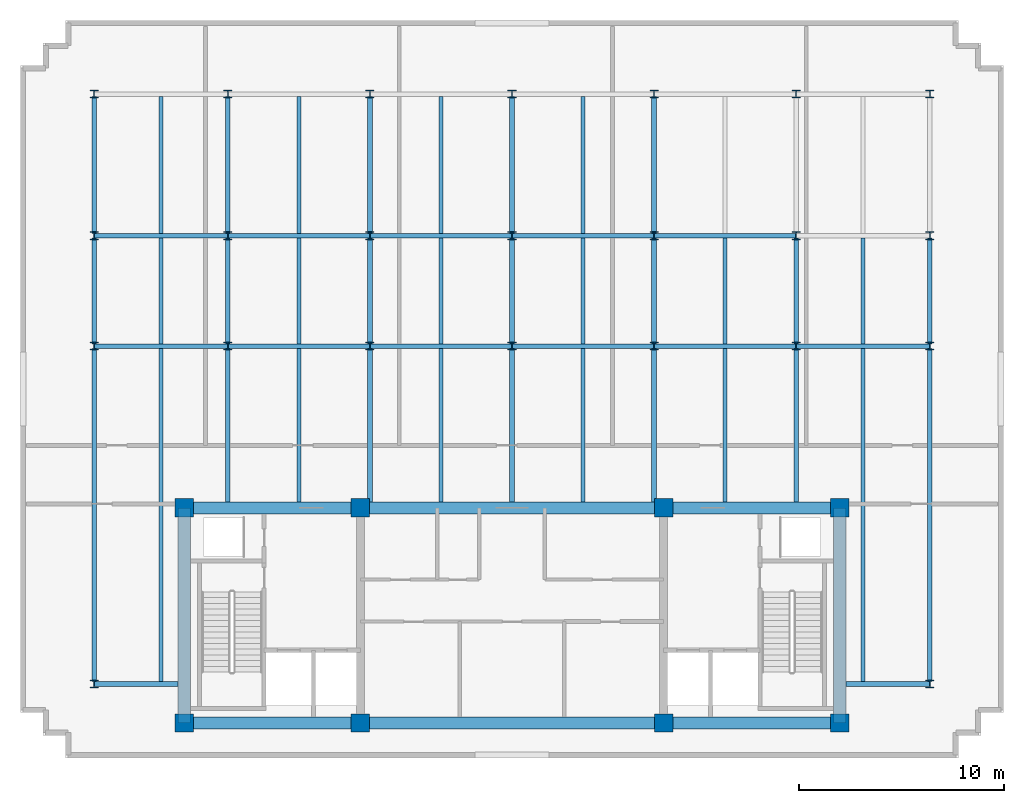
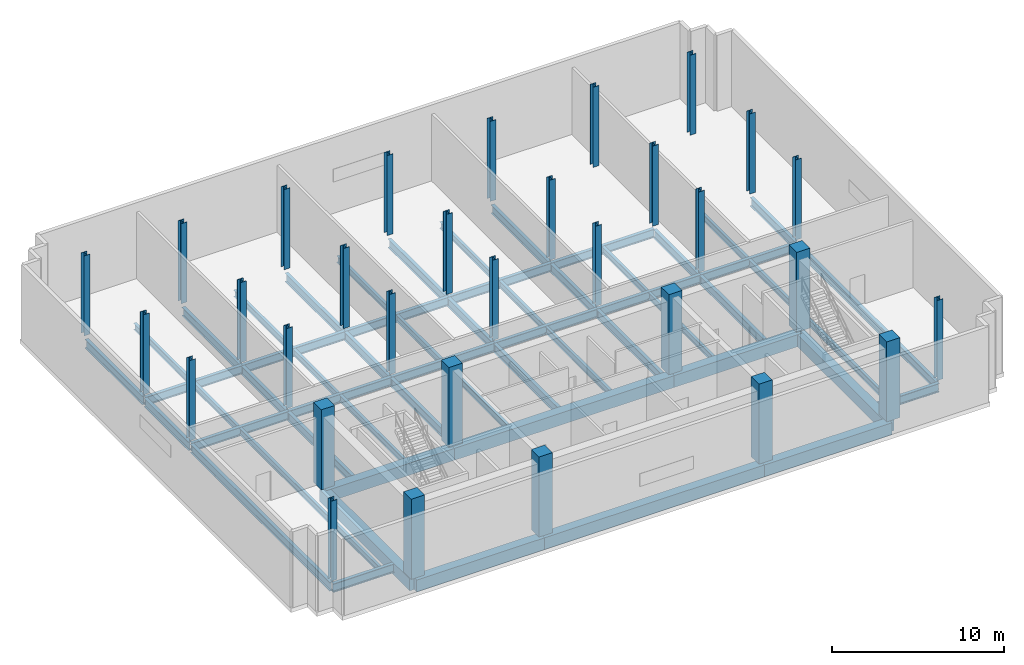
# One storey, part 1 of 6: 56 beams, 31 columns.
"""IFC4 building model written with IfcOpenShell, lengths in metres."""

import ifcopenshell
import ifcopenshell.guid

model = None  # the IFC model being written
_history = None  # IfcOwnerHistory: only IFC2X3 demands one
_inside = {}  # id of a spatial element -> (the spatial element, [elements in it])
_under = {}  # id of a project, library or spatial element -> (it, [spatial elements below it])
_declared = {}  # id of a project -> (the project, [libraries it declares])
_typed = {}  # id of a type object -> (the type object, [elements of that type])
_made_of = {}  # id of a material, layer set ... -> (it, [elements and type objects made of it])


def new_model(schema):
    """Start an empty IFC model of exactly this schema.

    Asked for "IFC4X3", IfcOpenShell would pick the latest addendum, in which some entities
    have other attributes; the version numbers below select the first issue.
    IFC2X3 requires an IfcOwnerHistory on every rooted entity: one is made here for all.
    """
    global model, _history
    if schema == "IFC4X3":
        model = ifcopenshell.file(schema_version=(4, 3, 0, 0))
    else:
        model = ifcopenshell.file(schema=schema)
    _inside.clear()
    _under.clear()
    _declared.clear()
    _typed.clear()
    _made_of.clear()
    _history = None
    if model.schema == "IFC2X3":
        org = make("IfcOrganization", Name="unknown")
        user = make(
            "IfcPersonAndOrganization",
            ThePerson=make("IfcPerson", FamilyName="unknown"),
            TheOrganization=org,
        )
        app = make(
            "IfcApplication",
            ApplicationDeveloper=org,
            Version="unknown",
            ApplicationFullName="unknown",
            ApplicationIdentifier="unknown",
        )
        _history = make(
            "IfcOwnerHistory",
            OwningUser=user,
            OwningApplication=app,
            ChangeAction="ADDED",
            CreationDate=0,
        )
    return model


def make(cls, **values):
    """One entity of the class cls with the attributes given. An attribute that is None is left unset."""
    return model.create_entity(
        cls, **{name: value for name, value in values.items() if value is not None}
    )


def rooted(cls, **values):
    """An entity with a GlobalId (a new one), such as an element, a storey or a relation."""
    return make(cls, GlobalId=ifcopenshell.guid.new(), OwnerHistory=_history, **values)


def si_unit(unit_type, name, prefix=None):
    """IfcSIUnit, for example si_unit("LENGTHUNIT", "METRE", prefix="MILLI")."""
    return make("IfcSIUnit", UnitType=unit_type, Prefix=prefix, Name=name)


def assignment(units):
    """IfcUnitAssignment: the units of a project."""
    return None if units is None else make("IfcUnitAssignment", Units=units)


def point(xyz):
    """IfcCartesianPoint."""
    return None if xyz is None else make("IfcCartesianPoint", Coordinates=xyz)


def direction(xyz):
    """IfcDirection."""
    return None if xyz is None else make("IfcDirection", DirectionRatios=xyz)


def frame(location, z_axis=None, x_axis=None):
    """IfcAxis2Placement3D, a coordinate frame: its origin and axes. An axis left out is left unset."""
    return make(
        "IfcAxis2Placement3D",
        Location=point(location),
        Axis=direction(z_axis),
        RefDirection=direction(x_axis),
    )


def frame_2d(location, x_axis=None):
    """IfcAxis2Placement2D, a coordinate frame in the plane: its origin and x axis."""
    return make(
        "IfcAxis2Placement2D", Location=point(location), RefDirection=direction(x_axis)
    )


def origin():
    """The frame at (0, 0, 0) with its axes left unset."""
    return frame((0.0, 0.0, 0.0))


def origin_2d():
    """The frame at (0, 0) in the plane with its x axis left unset."""
    return frame_2d((0.0, 0.0))


def place(relative_to, where):
    """IfcLocalPlacement: puts the frame where relative to a parent placement (None: the world)."""
    return make(
        "IfcLocalPlacement", PlacementRelTo=relative_to, RelativePlacement=where
    )


def context(
    kind, dimensions, precision=None, world=None, true_north=None, identifier=None
):
    """IfcGeometricRepresentationContext, for example the 3D "Model" context."""
    return make(
        "IfcGeometricRepresentationContext",
        ContextIdentifier=identifier,
        ContextType=kind,
        CoordinateSpaceDimension=dimensions,
        Precision=precision,
        WorldCoordinateSystem=world,
        TrueNorth=true_north,
    )


def subcontext(parent, identifier, kind, view, scale=None):
    """IfcGeometricRepresentationSubContext, for example "Body" below "Model"."""
    return make(
        "IfcGeometricRepresentationSubContext",
        ContextIdentifier=identifier,
        ContextType=kind,
        ParentContext=parent,
        TargetScale=scale,
        TargetView=view,
    )


def project(units=None, contexts=None):
    """IfcProject with its units and contexts."""
    return rooted(
        "IfcProject",
        Name="project",
        RepresentationContexts=contexts,
        UnitsInContext=assignment(units),
    )


def spatial(cls, under=None, at=None, **own):
    """A site, building, storey or space (cls), placed at a placement, below another one or the project."""
    s = rooted(cls, ObjectPlacement=at, **own)
    if under is not None:
        _under.setdefault(under.id(), (under, []))[1].append(s)
    return s


def profile(cls, at=None, kind="AREA", **sizes):
    """A parametric profile (cls). Its sizes go by their IFC names, for example OverallWidth=200.0."""
    return make(cls, ProfileType=kind, Position=at, **sizes)


def rectangle(**sizes):
    """IfcRectangleProfileDef."""
    return profile("IfcRectangleProfileDef", **sizes)


def i_section(**sizes):
    """IfcIShapeProfileDef."""
    return profile("IfcIShapeProfileDef", **sizes)


def extrude(swept, where, along, depth):
    """IfcExtrudedAreaSolid: the profile swept, set in the frame where, extruded along a direction by depth."""
    return make(
        "IfcExtrudedAreaSolid",
        SweptArea=swept,
        Position=where,
        ExtrudedDirection=direction(along),
        Depth=depth,
    )


def shape(context_of_items, identifier, shape_type, items):
    """IfcShapeRepresentation: the items that make up one representation, for example the "Body"."""
    return make(
        "IfcShapeRepresentation",
        ContextOfItems=context_of_items,
        RepresentationIdentifier=identifier,
        RepresentationType=shape_type,
        Items=items,
    )


def material(Name=None, Category=None):
    """IfcMaterial."""
    return make("IfcMaterial", Name=Name, Category=Category)


def material_profile(
    of_material, cross_section, Name=None, Category=None, Priority=None
):
    """IfcMaterialProfile: a cross section and its material."""
    return make(
        "IfcMaterialProfile",
        Name=Name,
        Material=of_material,
        Profile=cross_section,
        Priority=Priority,
        Category=Category,
    )


def profile_set(profiles, Name=None, composite=None):
    """IfcMaterialProfileSet."""
    return make(
        "IfcMaterialProfileSet",
        Name=Name,
        MaterialProfiles=profiles,
        CompositeProfile=composite,
    )


def made_of(thing, what):
    """Note that an element or type object is made of a material, layer set ...; save() writes the relation."""
    if what is not None:
        _made_of.setdefault(what.id(), (what, []))[1].append(thing)
    return thing


def type_object(cls, material=None, **own):
    """A type object (cls), such as IfcWallType, which elements share."""
    return made_of(rooted(cls, **own), material)


def element(
    cls,
    number,
    at=None,
    inside=None,
    cuts=None,
    type_object=None,
    material=None,
    context=None,
    identifier="Body",
    shape_type=None,
    held_by="IfcProductDefinitionShape",
    body=None,
    shapes=None,
    **own,
):
    """One element of the class cls, such as IfcWall. Its Tag is "e" and its number.

    at: its placement. inside: the storey or other place that contains it. cuts: it is an
    opening in that element (IfcRelVoidsElement). A single representation is given by context,
    identifier, shape_type and body (its items); several are given by shapes. held_by: the class
    of the entity that holds the representations. save() writes the other relations.
    """
    e = rooted(cls, Tag="e%d" % number, ObjectPlacement=at, **own)
    if body is not None:
        shapes = [shape(context, identifier, shape_type, body)]
    if shapes is not None:
        e.Representation = make(held_by, Representations=shapes)
    if inside is not None:
        _inside.setdefault(inside.id(), (inside, []))[1].append(e)
    if cuts is not None:
        rooted(
            "IfcRelVoidsElement", RelatingBuildingElement=cuts, RelatedOpeningElement=e
        )
    if type_object is not None:
        _typed.setdefault(type_object.id(), (type_object, []))[1].append(e)
    return made_of(e, material)


def aggregate(whole, parts):
    """IfcRelAggregates: a whole, such as a stair, and the parts it consists of."""
    return rooted("IfcRelAggregates", RelatingObject=whole, RelatedObjects=parts)


def save(model, path):
    """Write the relations noted so far, then the file.

    IfcRelAggregates (storeys below a building ...), IfcRelContainedInSpatialStructure (elements
    in a storey), IfcRelDefinesByType, IfcRelAssociatesMaterial and IfcRelDeclares: one each for
    every whole, place, type object, material and project.
    """
    for whole, parts in _under.values():
        aggregate(whole, parts)
    for where, things in _inside.values():
        rooted(
            "IfcRelContainedInSpatialStructure",
            RelatedElements=things,
            RelatingStructure=where,
        )
    for kind, things in _typed.values():
        rooted("IfcRelDefinesByType", RelatedObjects=things, RelatingType=kind)
    for what, things in _made_of.values():
        rooted("IfcRelAssociatesMaterial", RelatedObjects=things, RelatingMaterial=what)
    for by, libraries in _declared.values():
        rooted("IfcRelDeclares", RelatingContext=by, RelatedDefinitions=libraries)
    model.write(path)


model = new_model("IFC4")

# Units and contexts
model_context = context("Model", 3, precision=1e-05, world=origin(), true_north=direction((0.0, 1.0)))
body_context = subcontext(model_context, "Body", "Model", "MODEL_VIEW")
ifc_project = project(units=[si_unit("LENGTHUNIT", "METRE"), si_unit("AREAUNIT", "SQUARE_METRE"), si_unit("VOLUMEUNIT", "CUBIC_METRE"), si_unit("PLANEANGLEUNIT", "RADIAN"), si_unit("MASSUNIT", "GRAM", prefix="KILO")], contexts=[model_context])

# Site, building, storey
site_placement = place(None, origin())
site = spatial("IfcSite", under=ifc_project, at=site_placement, CompositionType="ELEMENT")
building_placement = place(site_placement, origin())
building = spatial("IfcBuilding", under=site, at=building_placement, Name="Solmavex Isthmus Hotel", CompositionType="ELEMENT")
storey_placement = place(building_placement, frame((0.0, 0.0, 297.0)))
storey = spatial("IfcBuildingStorey", under=building, at=storey_placement, Name="L80", CompositionType="ELEMENT", Elevation=297.0)

# Columns
ifc_material_1 = material(Name="Concrete C50/60", Category="concrete")
ifc_material_profile_1 = material_profile(ifc_material_1, rectangle(XDim=0.89990234375, YDim=0.89990234375, at=origin_2d()), Name="RC900X900")
ifc_profile_set_1 = profile_set([ifc_material_profile_1], Name="Concrete C50/60")
column_type_1 = type_object("IfcColumnType", Name="COL-CC-900", PredefinedType="COLUMN", material=ifc_profile_set_1)
for number, where, z_axis, x_axis, name in (
    (1, (-16.0, -13.0, 0.0), (0.0, 0.0, 1.0), (1.0, 0.0, 0.0), "Core Pilaster CC-SW L80"),
    (2, (-7.39990234375, -13.0, 0.0), (0.0, 0.0, 1.0), (1.0, 0.0, 0.0), "Core Pilaster CC-S1 L80"),
    (3, (7.39990234375, -13.0, 0.0), (0.0, 0.0, 1.0), (1.0, 0.0, 0.0), "Core Pilaster CC-S2 L80"),
    (4, (16.0, -13.0, 0.0), (0.0, 0.0, 1.0), (1.0, 0.0, 0.0), "Core Pilaster CC-SE L80"),
    (5, (-16.0, -2.5, 0.0), (0.0, 0.0, 1.0), (1.0, 0.0, 0.0), "Core Pilaster CC-NW L80"),
    (6, (-7.39990234375, -2.5, 0.0), (0.0, 0.0, 1.0), (1.0, 0.0, 0.0), "Core Pilaster CC-N1 L80"),
    (7, (7.39990234375, -2.5, 0.0), (0.0, 0.0, 1.0), (1.0, 0.0, 0.0), "Core Pilaster CC-N2 L80"),
    (8, (16.0, -2.5, 0.0), (0.0, 0.0, 1.0), (1.0, 0.0, 0.0), "Core Pilaster CC-NE L80"),
):
    element("IfcColumn", number, at=place(storey_placement, frame(where, z_axis=z_axis, x_axis=x_axis)), inside=storey, type_object=column_type_1, Name=name, PredefinedType="COLUMN", context=body_context, shape_type="SweptSolid", body=[
        extrude(rectangle(XDim=0.89990234375, YDim=0.89990234375, at=origin_2d()), origin(), (0.0, 0.0, 1.0), 5.699951171875),
    ])
ifc_material_2 = material(Name="Steel ASTM A913 Grade 65", Category="steel")
ifc_material_profile_2 = material_profile(ifc_material_2, i_section(OverallWidth=0.393798828125, OverallDepth=0.37548828125, WebThickness=0.017333984375, FlangeThickness=0.027587890625, FilletRadius=0.030517578125, at=origin_2d()), Name="W14X145")
ifc_profile_set_2 = profile_set([ifc_material_profile_2], Name="Steel ASTM A913 Grade 65")
column_type_2 = type_object("IfcColumnType", Name="COL-SC-W14X145", PredefinedType="COLUMN", material=ifc_profile_set_2)
for number, where, z_axis, x_axis, name in (
    (9, (-20.39990234375, -11.10009765625, 0.0), (0.0, 0.0, 1.0), (1.0, 0.0, 0.0), "Tower Column B5-U1V1 L80"),
    (10, (-20.39990234375, 5.39990234375, 0.0), (0.0, 0.0, 1.0), (1.0, 0.0, 0.0), "Tower Column B5-U1V2 L80"),
    (11, (-20.39990234375, 10.7880859375, 0.0), (0.0, 0.0, 1.0), (1.0, 0.0, 0.0), "Tower Column B5-U1V3 L80"),
    (12, (-20.39990234375, 17.699951171875, 0.0), (0.0, 0.0, 1.0), (1.0, 0.0, 0.0), "Tower Column B5-U1V4 L80"),
    (13, (-13.8720703125, 5.39990234375, 0.0), (0.0, 0.0, 1.0), (1.0, 0.0, 0.0), "Tower Column B5-U2V2 L80"),
    (14, (-13.8720703125, 10.7880859375, 0.0), (0.0, 0.0, 1.0), (1.0, 0.0, 0.0), "Tower Column B5-U2V3 L80"),
    (15, (-13.8720703125, 17.699951171875, 0.0), (0.0, 0.0, 1.0), (1.0, 0.0, 0.0), "Tower Column B5-U2V4 L80"),
    (16, (-6.93603515625, 5.39990234375, 0.0), (0.0, 0.0, 1.0), (1.0, 0.0, 0.0), "Tower Column B5-U3V2 L80"),
    (17, (-6.93603515625, 10.7880859375, 0.0), (0.0, 0.0, 1.0), (1.0, 0.0, 0.0), "Tower Column B5-U3V3 L80"),
    (18, (-6.93603515625, 17.699951171875, 0.0), (0.0, 0.0, 1.0), (1.0, 0.0, 0.0), "Tower Column B5-U3V4 L80"),
    (19, (0.0, 5.39990234375, 0.0), (0.0, 0.0, 1.0), (1.0, 0.0, 0.0), "Tower Column B5-U4V2 L80"),
    (20, (0.0, 10.7880859375, 0.0), (0.0, 0.0, 1.0), (1.0, 0.0, 0.0), "Tower Column B5-U4V3 L80"),
    (21, (0.0, 17.699951171875, 0.0), (0.0, 0.0, 1.0), (1.0, 0.0, 0.0), "Tower Column B5-U4V4 L80"),
    (22, (6.93603515625, 5.39990234375, 0.0), (0.0, 0.0, 1.0), (1.0, 0.0, 0.0), "Tower Column B5-U5V2 L80"),
    (23, (6.93603515625, 10.7880859375, 0.0), (0.0, 0.0, 1.0), (1.0, 0.0, 0.0), "Tower Column B5-U5V3 L80"),
    (24, (6.93603515625, 17.699951171875, 0.0), (0.0, 0.0, 1.0), (1.0, 0.0, 0.0), "Tower Column B5-U5V4 L80"),
    (25, (13.8720703125, 5.39990234375, 0.0), (0.0, 0.0, 1.0), (1.0, 0.0, 0.0), "Tower Column B5-U6V2 L80"),
    (26, (13.8720703125, 10.7880859375, 0.0), (0.0, 0.0, 1.0), (1.0, 0.0, 0.0), "Tower Column B5-U6V3 L80"),
    (27, (13.8720703125, 17.699951171875, 0.0), (0.0, 0.0, 1.0), (1.0, 0.0, 0.0), "Tower Column B5-U6V4 L80"),
    (28, (20.39990234375, -11.10009765625, 0.0), (0.0, 0.0, 1.0), (1.0, 0.0, 0.0), "Tower Column B5-U7V1 L80"),
    (29, (20.39990234375, 5.39990234375, 0.0), (0.0, 0.0, 1.0), (1.0, 0.0, 0.0), "Tower Column B5-U7V2 L80"),
    (30, (20.39990234375, 10.7880859375, 0.0), (0.0, 0.0, 1.0), (1.0, 0.0, 0.0), "Tower Column B5-U7V3 L80"),
    (31, (20.39990234375, 17.699951171875, 0.0), (0.0, 0.0, 1.0), (1.0, 0.0, 0.0), "Tower Column B5-U7V4 L80"),
):
    element("IfcColumn", number, at=place(storey_placement, frame(where, z_axis=z_axis, x_axis=x_axis)), inside=storey, type_object=column_type_2, Name=name, PredefinedType="COLUMN", context=body_context, shape_type="SweptSolid", body=[
        extrude(i_section(OverallWidth=0.393798828125, OverallDepth=0.37548828125, WebThickness=0.017333984375, FlangeThickness=0.027587890625, FilletRadius=0.030517578125, at=origin_2d()), origin(), (0.0, 0.0, 1.0), 5.699951171875),
    ])

# Beams
ifc_material_3 = material(Name="Steel ASTM A992 Grade 50", Category="steel")
ifc_material_profile_3 = material_profile(ifc_material_3, i_section(OverallWidth=0.1904296875, OverallDepth=0.456787109375, WebThickness=0.009033203125, FlangeThickness=0.014404296875, FilletRadius=0.0126953125, at=origin_2d()), Name="W18X50")
ifc_profile_set_3 = profile_set([ifc_material_profile_3], Name="Steel ASTM A992 Grade 50")
beam_type_1 = type_object("IfcBeamType", Name="BM-BJ-W18X50", PredefinedType="JOIST", material=ifc_profile_set_3)
beam_1_placement = place(storey_placement, frame((-17.135986328125, -10.98486328125, -0.528564453125), z_axis=(0.0, 1.0, 0.0), x_axis=(-1.0, 0.0, 0.0)))
element("IfcBeam", 32, at=beam_1_placement, inside=storey, type_object=beam_type_1, Name="Secondary Floor Joist L80-J01", PredefinedType="JOIST", context=body_context, shape_type="SweptSolid", body=[
    extrude(i_section(OverallWidth=0.1904296875, OverallDepth=0.456787109375, WebThickness=0.009033203125, FlangeThickness=0.014404296875, FilletRadius=0.0126953125, at=origin_2d()), origin(), (0.0, 0.0, 1.0), 16.27099609375),
])
beam_2_placement = place(storey_placement, frame((-17.135986328125, 5.513916015625, -0.528564453125), z_axis=(0.0, 1.0, 0.0), x_axis=(-1.0, 0.0, 0.0)))
element("IfcBeam", 33, at=beam_2_placement, inside=storey, type_object=beam_type_1, Name="Secondary Floor Joist L80-J02", PredefinedType="JOIST", context=body_context, shape_type="SweptSolid", body=[
    extrude(i_section(OverallWidth=0.1904296875, OverallDepth=0.456787109375, WebThickness=0.009033203125, FlangeThickness=0.014404296875, FilletRadius=0.0126953125, at=origin_2d()), origin(), (0.0, 0.0, 1.0), 5.16015625),
])
beam_3_placement = place(storey_placement, frame((-17.135986328125, 10.90185546875, -0.528564453125), z_axis=(0.0, 1.0, 0.0), x_axis=(-1.0, 0.0, 0.0)))
element("IfcBeam", 34, at=beam_3_placement, inside=storey, type_object=beam_type_1, Name="Secondary Floor Joist L80-J03", PredefinedType="JOIST", context=body_context, shape_type="SweptSolid", body=[
    extrude(i_section(OverallWidth=0.1904296875, OverallDepth=0.456787109375, WebThickness=0.009033203125, FlangeThickness=0.014404296875, FilletRadius=0.0126953125, at=origin_2d()), origin(), (0.0, 0.0, 1.0), 6.682861328125),
])
beam_4_placement = place(storey_placement, frame((-10.404052734375, -2.199951171875, -0.528564453125), z_axis=(0.0, 1.0, 0.0), x_axis=(-1.0, 0.0, 0.0)))
element("IfcBeam", 35, at=beam_4_placement, inside=storey, type_object=beam_type_1, Name="Secondary Floor Joist L80-J04", PredefinedType="JOIST", context=body_context, shape_type="SweptSolid", body=[
    extrude(i_section(OverallWidth=0.1904296875, OverallDepth=0.456787109375, WebThickness=0.009033203125, FlangeThickness=0.014404296875, FilletRadius=0.0126953125, at=origin_2d()), origin(), (0.0, 0.0, 1.0), 7.486083984375),
])
beam_5_placement = place(storey_placement, frame((-10.404052734375, 5.513916015625, -0.528564453125), z_axis=(0.0, 1.0, 0.0), x_axis=(-1.0, 0.0, 0.0)))
element("IfcBeam", 36, at=beam_5_placement, inside=storey, type_object=beam_type_1, Name="Secondary Floor Joist L80-J05", PredefinedType="JOIST", context=body_context, shape_type="SweptSolid", body=[
    extrude(i_section(OverallWidth=0.1904296875, OverallDepth=0.456787109375, WebThickness=0.009033203125, FlangeThickness=0.014404296875, FilletRadius=0.0126953125, at=origin_2d()), origin(), (0.0, 0.0, 1.0), 5.16015625),
])
beam_6_placement = place(storey_placement, frame((-10.404052734375, 10.90185546875, -0.528564453125), z_axis=(0.0, 1.0, 0.0), x_axis=(-1.0, 0.0, 0.0)))
element("IfcBeam", 37, at=beam_6_placement, inside=storey, type_object=beam_type_1, Name="Secondary Floor Joist L80-J06", PredefinedType="JOIST", context=body_context, shape_type="SweptSolid", body=[
    extrude(i_section(OverallWidth=0.1904296875, OverallDepth=0.456787109375, WebThickness=0.009033203125, FlangeThickness=0.014404296875, FilletRadius=0.0126953125, at=origin_2d()), origin(), (0.0, 0.0, 1.0), 6.682861328125),
])
beam_7_placement = place(storey_placement, frame((-3.468017578125, -2.199951171875, -0.528564453125), z_axis=(0.0, 1.0, 0.0), x_axis=(-1.0, 0.0, 0.0)))
element("IfcBeam", 38, at=beam_7_placement, inside=storey, type_object=beam_type_1, Name="Secondary Floor Joist L80-J07", PredefinedType="JOIST", context=body_context, shape_type="SweptSolid", body=[
    extrude(i_section(OverallWidth=0.1904296875, OverallDepth=0.456787109375, WebThickness=0.009033203125, FlangeThickness=0.014404296875, FilletRadius=0.0126953125, at=origin_2d()), origin(), (0.0, 0.0, 1.0), 7.486083984375),
])
beam_8_placement = place(storey_placement, frame((-3.468017578125, 5.513916015625, -0.528564453125), z_axis=(0.0, 1.0, 0.0), x_axis=(-1.0, 0.0, 0.0)))
element("IfcBeam", 39, at=beam_8_placement, inside=storey, type_object=beam_type_1, Name="Secondary Floor Joist L80-J08", PredefinedType="JOIST", context=body_context, shape_type="SweptSolid", body=[
    extrude(i_section(OverallWidth=0.1904296875, OverallDepth=0.456787109375, WebThickness=0.009033203125, FlangeThickness=0.014404296875, FilletRadius=0.0126953125, at=origin_2d()), origin(), (0.0, 0.0, 1.0), 5.16015625),
])
beam_9_placement = place(storey_placement, frame((-3.468017578125, 10.90185546875, -0.528564453125), z_axis=(0.0, 1.0, 0.0), x_axis=(-1.0, 0.0, 0.0)))
element("IfcBeam", 40, at=beam_9_placement, inside=storey, type_object=beam_type_1, Name="Secondary Floor Joist L80-J09", PredefinedType="JOIST", context=body_context, shape_type="SweptSolid", body=[
    extrude(i_section(OverallWidth=0.1904296875, OverallDepth=0.456787109375, WebThickness=0.009033203125, FlangeThickness=0.014404296875, FilletRadius=0.0126953125, at=origin_2d()), origin(), (0.0, 0.0, 1.0), 6.682861328125),
])
beam_10_placement = place(storey_placement, frame((3.468017578125, -2.199951171875, -0.528564453125), z_axis=(0.0, 1.0, 0.0), x_axis=(-1.0, 0.0, 0.0)))
element("IfcBeam", 41, at=beam_10_placement, inside=storey, type_object=beam_type_1, Name="Secondary Floor Joist L80-J10", PredefinedType="JOIST", context=body_context, shape_type="SweptSolid", body=[
    extrude(i_section(OverallWidth=0.1904296875, OverallDepth=0.456787109375, WebThickness=0.009033203125, FlangeThickness=0.014404296875, FilletRadius=0.0126953125, at=origin_2d()), origin(), (0.0, 0.0, 1.0), 7.486083984375),
])
beam_11_placement = place(storey_placement, frame((3.468017578125, 5.513916015625, -0.528564453125), z_axis=(0.0, 1.0, 0.0), x_axis=(-1.0, 0.0, 0.0)))
element("IfcBeam", 42, at=beam_11_placement, inside=storey, type_object=beam_type_1, Name="Secondary Floor Joist L80-J11", PredefinedType="JOIST", context=body_context, shape_type="SweptSolid", body=[
    extrude(i_section(OverallWidth=0.1904296875, OverallDepth=0.456787109375, WebThickness=0.009033203125, FlangeThickness=0.014404296875, FilletRadius=0.0126953125, at=origin_2d()), origin(), (0.0, 0.0, 1.0), 5.16015625),
])
beam_12_placement = place(storey_placement, frame((3.468017578125, 10.90185546875, -0.528564453125), z_axis=(0.0, 1.0, 0.0), x_axis=(-1.0, 0.0, 0.0)))
element("IfcBeam", 43, at=beam_12_placement, inside=storey, type_object=beam_type_1, Name="Secondary Floor Joist L80-J12", PredefinedType="JOIST", context=body_context, shape_type="SweptSolid", body=[
    extrude(i_section(OverallWidth=0.1904296875, OverallDepth=0.456787109375, WebThickness=0.009033203125, FlangeThickness=0.014404296875, FilletRadius=0.0126953125, at=origin_2d()), origin(), (0.0, 0.0, 1.0), 6.682861328125),
])
beam_13_placement = place(storey_placement, frame((10.404052734375, -2.199951171875, -0.528564453125), z_axis=(0.0, 1.0, 0.0), x_axis=(-1.0, 0.0, 0.0)))
element("IfcBeam", 44, at=beam_13_placement, inside=storey, type_object=beam_type_1, Name="Secondary Floor Joist L80-J13", PredefinedType="JOIST", context=body_context, shape_type="SweptSolid", body=[
    extrude(i_section(OverallWidth=0.1904296875, OverallDepth=0.456787109375, WebThickness=0.009033203125, FlangeThickness=0.014404296875, FilletRadius=0.0126953125, at=origin_2d()), origin(), (0.0, 0.0, 1.0), 7.486083984375),
])
beam_14_placement = place(storey_placement, frame((10.404052734375, 5.513916015625, -0.528564453125), z_axis=(0.0, 1.0, 0.0), x_axis=(-1.0, 0.0, 0.0)))
element("IfcBeam", 45, at=beam_14_placement, inside=storey, type_object=beam_type_1, Name="Secondary Floor Joist L80-J14", PredefinedType="JOIST", context=body_context, shape_type="SweptSolid", body=[
    extrude(i_section(OverallWidth=0.1904296875, OverallDepth=0.456787109375, WebThickness=0.009033203125, FlangeThickness=0.014404296875, FilletRadius=0.0126953125, at=origin_2d()), origin(), (0.0, 0.0, 1.0), 5.16015625),
])
beam_15_placement = place(storey_placement, frame((17.135986328125, -10.98486328125, -0.528564453125), z_axis=(0.0, 1.0, 0.0), x_axis=(-1.0, 0.0, 0.0)))
element("IfcBeam", 46, at=beam_15_placement, inside=storey, type_object=beam_type_1, Name="Secondary Floor Joist L80-J16", PredefinedType="JOIST", context=body_context, shape_type="SweptSolid", body=[
    extrude(i_section(OverallWidth=0.1904296875, OverallDepth=0.456787109375, WebThickness=0.009033203125, FlangeThickness=0.014404296875, FilletRadius=0.0126953125, at=origin_2d()), origin(), (0.0, 0.0, 1.0), 16.27099609375),
])
beam_16_placement = place(storey_placement, frame((17.135986328125, 5.513916015625, -0.528564453125), z_axis=(0.0, 1.0, 0.0), x_axis=(-1.0, 0.0, 0.0)))
element("IfcBeam", 47, at=beam_16_placement, inside=storey, type_object=beam_type_1, Name="Secondary Floor Joist L80-J17", PredefinedType="JOIST", context=body_context, shape_type="SweptSolid", body=[
    extrude(i_section(OverallWidth=0.1904296875, OverallDepth=0.456787109375, WebThickness=0.009033203125, FlangeThickness=0.014404296875, FilletRadius=0.0126953125, at=origin_2d()), origin(), (0.0, 0.0, 1.0), 5.16015625),
])
ifc_material_profile_4 = material_profile(ifc_material_3, i_section(OverallWidth=0.227783203125, OverallDepth=0.602783203125, WebThickness=0.010498046875, FlangeThickness=0.014892578125, FilletRadius=0.01513671875, at=origin_2d()), Name="W24X68")
ifc_profile_set_4 = profile_set([ifc_material_profile_4], Name="Steel ASTM A992 Grade 50")
beam_type_2 = type_object("IfcBeamType", Name="BM-BM-W24X68", PredefinedType="BEAM", material=ifc_profile_set_4)
beam_17_placement = place(storey_placement, frame((-20.39990234375, 5.39990234375, -0.601318359375), z_axis=(1.0, 0.0, 0.0), x_axis=(0.0, 1.0, 0.0)))
element("IfcBeam", 48, at=beam_17_placement, inside=storey, type_object=beam_type_2, Name="Floor Girder L80-UG03", PredefinedType="BEAM", context=body_context, shape_type="SweptSolid", body=[
    extrude(i_section(OverallWidth=0.227783203125, OverallDepth=0.602783203125, WebThickness=0.010498046875, FlangeThickness=0.014892578125, FilletRadius=0.01513671875, at=origin_2d()), origin(), (0.0, 0.0, 1.0), 6.52783203125),
])
for number, where, z_axis, x_axis, name in (
    (49, (-13.8720703125, 5.39990234375, -0.601318359375), (1.0, 0.0, 0.0), (0.0, 1.0, 0.0), "Floor Girder L80-UG04"),
    (50, (-6.93603515625, 5.39990234375, -0.601318359375), (1.0, 0.0, 0.0), (0.0, 1.0, 0.0), "Floor Girder L80-UG05"),
    (51, (0.0, 5.39990234375, -0.601318359375), (1.0, 0.0, 0.0), (0.0, 1.0, 0.0), "Floor Girder L80-UG06"),
    (52, (6.93603515625, 5.39990234375, -0.601318359375), (1.0, 0.0, 0.0), (0.0, 1.0, 0.0), "Floor Girder L80-UG07"),
):
    element("IfcBeam", number, at=place(storey_placement, frame(where, z_axis=z_axis, x_axis=x_axis)), inside=storey, type_object=beam_type_2, Name=name, PredefinedType="BEAM", context=body_context, shape_type="SweptSolid", body=[
        extrude(i_section(OverallWidth=0.227783203125, OverallDepth=0.602783203125, WebThickness=0.010498046875, FlangeThickness=0.014892578125, FilletRadius=0.01513671875, at=origin_2d()), origin(), (0.0, 0.0, 1.0), 6.93603515625),
    ])
for number, where, z_axis, x_axis, name in (
    (53, (13.8720703125, 5.39990234375, -0.601318359375), (1.0, 0.0, 0.0), (0.0, 1.0, 0.0), "Floor Girder L80-UG08"),
    (54, (-20.39990234375, 10.7880859375, -0.601318359375), (1.0, 0.0, 0.0), (0.0, 1.0, 0.0), "Floor Girder L80-UG09"),
):
    element("IfcBeam", number, at=place(storey_placement, frame(where, z_axis=z_axis, x_axis=x_axis)), inside=storey, type_object=beam_type_2, Name=name, PredefinedType="BEAM", context=body_context, shape_type="SweptSolid", body=[
        extrude(i_section(OverallWidth=0.227783203125, OverallDepth=0.602783203125, WebThickness=0.010498046875, FlangeThickness=0.014892578125, FilletRadius=0.01513671875, at=origin_2d()), origin(), (0.0, 0.0, 1.0), 6.52783203125),
    ])
for number, where, z_axis, x_axis, name in (
    (55, (-13.8720703125, 10.7880859375, -0.601318359375), (1.0, 0.0, 0.0), (0.0, 1.0, 0.0), "Floor Girder L80-UG10"),
    (56, (-6.93603515625, 10.7880859375, -0.601318359375), (1.0, 0.0, 0.0), (0.0, 1.0, 0.0), "Floor Girder L80-UG11"),
    (57, (0.0, 10.7880859375, -0.601318359375), (1.0, 0.0, 0.0), (0.0, 1.0, 0.0), "Floor Girder L80-UG12"),
    (58, (6.93603515625, 10.7880859375, -0.601318359375), (1.0, 0.0, 0.0), (0.0, 1.0, 0.0), "Floor Girder L80-UG13"),
):
    element("IfcBeam", number, at=place(storey_placement, frame(where, z_axis=z_axis, x_axis=x_axis)), inside=storey, type_object=beam_type_2, Name=name, PredefinedType="BEAM", context=body_context, shape_type="SweptSolid", body=[
        extrude(i_section(OverallWidth=0.227783203125, OverallDepth=0.602783203125, WebThickness=0.010498046875, FlangeThickness=0.014892578125, FilletRadius=0.01513671875, at=origin_2d()), origin(), (0.0, 0.0, 1.0), 6.93603515625),
    ])
beam_18_placement = place(storey_placement, frame((-13.8720703125, -2.199951171875, -0.601318359375), z_axis=(0.0, 1.0, 0.0), x_axis=(-1.0, 0.0, 0.0)))
element("IfcBeam", 59, at=beam_18_placement, inside=storey, type_object=beam_type_2, Name="Floor Beam L80-VG24", PredefinedType="BEAM", context=body_context, shape_type="SweptSolid", body=[
    extrude(i_section(OverallWidth=0.227783203125, OverallDepth=0.602783203125, WebThickness=0.010498046875, FlangeThickness=0.014892578125, FilletRadius=0.01513671875, at=origin_2d()), origin(), (0.0, 0.0, 1.0), 7.486083984375),
])
beam_19_placement = place(storey_placement, frame((-13.8720703125, 5.513916015625, -0.601318359375), z_axis=(0.0, 1.0, 0.0), x_axis=(-1.0, 0.0, 0.0)))
element("IfcBeam", 60, at=beam_19_placement, inside=storey, type_object=beam_type_2, Name="Floor Beam L80-VG25", PredefinedType="BEAM", context=body_context, shape_type="SweptSolid", body=[
    extrude(i_section(OverallWidth=0.227783203125, OverallDepth=0.602783203125, WebThickness=0.010498046875, FlangeThickness=0.014892578125, FilletRadius=0.01513671875, at=origin_2d()), origin(), (0.0, 0.0, 1.0), 5.16015625),
])
beam_20_placement = place(storey_placement, frame((-13.8720703125, 10.90185546875, -0.601318359375), z_axis=(0.0, 1.0, 0.0), x_axis=(-1.0, 0.0, 0.0)))
element("IfcBeam", 61, at=beam_20_placement, inside=storey, type_object=beam_type_2, Name="Floor Beam L80-VG26", PredefinedType="BEAM", context=body_context, shape_type="SweptSolid", body=[
    extrude(i_section(OverallWidth=0.227783203125, OverallDepth=0.602783203125, WebThickness=0.010498046875, FlangeThickness=0.014892578125, FilletRadius=0.01513671875, at=origin_2d()), origin(), (0.0, 0.0, 1.0), 6.682861328125),
])
beam_21_placement = place(storey_placement, frame((-6.93603515625, -2.199951171875, -0.601318359375), z_axis=(0.0, 1.0, 0.0), x_axis=(-1.0, 0.0, 0.0)))
element("IfcBeam", 62, at=beam_21_placement, inside=storey, type_object=beam_type_2, Name="Floor Beam L80-VG27", PredefinedType="BEAM", context=body_context, shape_type="SweptSolid", body=[
    extrude(i_section(OverallWidth=0.227783203125, OverallDepth=0.602783203125, WebThickness=0.010498046875, FlangeThickness=0.014892578125, FilletRadius=0.01513671875, at=origin_2d()), origin(), (0.0, 0.0, 1.0), 7.486083984375),
])
beam_22_placement = place(storey_placement, frame((-6.93603515625, 5.513916015625, -0.601318359375), z_axis=(0.0, 1.0, 0.0), x_axis=(-1.0, 0.0, 0.0)))
element("IfcBeam", 63, at=beam_22_placement, inside=storey, type_object=beam_type_2, Name="Floor Beam L80-VG28", PredefinedType="BEAM", context=body_context, shape_type="SweptSolid", body=[
    extrude(i_section(OverallWidth=0.227783203125, OverallDepth=0.602783203125, WebThickness=0.010498046875, FlangeThickness=0.014892578125, FilletRadius=0.01513671875, at=origin_2d()), origin(), (0.0, 0.0, 1.0), 5.16015625),
])
beam_23_placement = place(storey_placement, frame((-6.93603515625, 10.90185546875, -0.601318359375), z_axis=(0.0, 1.0, 0.0), x_axis=(-1.0, 0.0, 0.0)))
element("IfcBeam", 64, at=beam_23_placement, inside=storey, type_object=beam_type_2, Name="Floor Beam L80-VG29", PredefinedType="BEAM", context=body_context, shape_type="SweptSolid", body=[
    extrude(i_section(OverallWidth=0.227783203125, OverallDepth=0.602783203125, WebThickness=0.010498046875, FlangeThickness=0.014892578125, FilletRadius=0.01513671875, at=origin_2d()), origin(), (0.0, 0.0, 1.0), 6.682861328125),
])
beam_24_placement = place(storey_placement, frame((0.0, -2.199951171875, -0.601318359375), z_axis=(0.0, 1.0, 0.0), x_axis=(-1.0, 0.0, 0.0)))
element("IfcBeam", 65, at=beam_24_placement, inside=storey, type_object=beam_type_2, Name="Floor Beam L80-VG30", PredefinedType="BEAM", context=body_context, shape_type="SweptSolid", body=[
    extrude(i_section(OverallWidth=0.227783203125, OverallDepth=0.602783203125, WebThickness=0.010498046875, FlangeThickness=0.014892578125, FilletRadius=0.01513671875, at=origin_2d()), origin(), (0.0, 0.0, 1.0), 7.486083984375),
])
beam_25_placement = place(storey_placement, frame((0.0, 5.513916015625, -0.601318359375), z_axis=(0.0, 1.0, 0.0), x_axis=(-1.0, 0.0, 0.0)))
element("IfcBeam", 66, at=beam_25_placement, inside=storey, type_object=beam_type_2, Name="Floor Beam L80-VG31", PredefinedType="BEAM", context=body_context, shape_type="SweptSolid", body=[
    extrude(i_section(OverallWidth=0.227783203125, OverallDepth=0.602783203125, WebThickness=0.010498046875, FlangeThickness=0.014892578125, FilletRadius=0.01513671875, at=origin_2d()), origin(), (0.0, 0.0, 1.0), 5.16015625),
])
beam_26_placement = place(storey_placement, frame((0.0, 10.90185546875, -0.601318359375), z_axis=(0.0, 1.0, 0.0), x_axis=(-1.0, 0.0, 0.0)))
element("IfcBeam", 67, at=beam_26_placement, inside=storey, type_object=beam_type_2, Name="Floor Beam L80-VG32", PredefinedType="BEAM", context=body_context, shape_type="SweptSolid", body=[
    extrude(i_section(OverallWidth=0.227783203125, OverallDepth=0.602783203125, WebThickness=0.010498046875, FlangeThickness=0.014892578125, FilletRadius=0.01513671875, at=origin_2d()), origin(), (0.0, 0.0, 1.0), 6.682861328125),
])
beam_27_placement = place(storey_placement, frame((6.93603515625, -2.199951171875, -0.601318359375), z_axis=(0.0, 1.0, 0.0), x_axis=(-1.0, 0.0, 0.0)))
element("IfcBeam", 68, at=beam_27_placement, inside=storey, type_object=beam_type_2, Name="Floor Beam L80-VG33", PredefinedType="BEAM", context=body_context, shape_type="SweptSolid", body=[
    extrude(i_section(OverallWidth=0.227783203125, OverallDepth=0.602783203125, WebThickness=0.010498046875, FlangeThickness=0.014892578125, FilletRadius=0.01513671875, at=origin_2d()), origin(), (0.0, 0.0, 1.0), 7.486083984375),
])
beam_28_placement = place(storey_placement, frame((6.93603515625, 5.513916015625, -0.601318359375), z_axis=(0.0, 1.0, 0.0), x_axis=(-1.0, 0.0, 0.0)))
element("IfcBeam", 69, at=beam_28_placement, inside=storey, type_object=beam_type_2, Name="Floor Beam L80-VG34", PredefinedType="BEAM", context=body_context, shape_type="SweptSolid", body=[
    extrude(i_section(OverallWidth=0.227783203125, OverallDepth=0.602783203125, WebThickness=0.010498046875, FlangeThickness=0.014892578125, FilletRadius=0.01513671875, at=origin_2d()), origin(), (0.0, 0.0, 1.0), 5.16015625),
])
beam_29_placement = place(storey_placement, frame((6.93603515625, 10.90185546875, -0.601318359375), z_axis=(0.0, 1.0, 0.0), x_axis=(-1.0, 0.0, 0.0)))
element("IfcBeam", 70, at=beam_29_placement, inside=storey, type_object=beam_type_2, Name="Floor Beam L80-VG35", PredefinedType="BEAM", context=body_context, shape_type="SweptSolid", body=[
    extrude(i_section(OverallWidth=0.227783203125, OverallDepth=0.602783203125, WebThickness=0.010498046875, FlangeThickness=0.014892578125, FilletRadius=0.01513671875, at=origin_2d()), origin(), (0.0, 0.0, 1.0), 6.682861328125),
])
beam_30_placement = place(storey_placement, frame((13.8720703125, -2.199951171875, -0.601318359375), z_axis=(0.0, 1.0, 0.0), x_axis=(-1.0, 0.0, 0.0)))
element("IfcBeam", 71, at=beam_30_placement, inside=storey, type_object=beam_type_2, Name="Floor Beam L80-VG36", PredefinedType="BEAM", context=body_context, shape_type="SweptSolid", body=[
    extrude(i_section(OverallWidth=0.227783203125, OverallDepth=0.602783203125, WebThickness=0.010498046875, FlangeThickness=0.014892578125, FilletRadius=0.01513671875, at=origin_2d()), origin(), (0.0, 0.0, 1.0), 7.486083984375),
])
beam_31_placement = place(storey_placement, frame((13.8720703125, 5.513916015625, -0.601318359375), z_axis=(0.0, 1.0, 0.0), x_axis=(-1.0, 0.0, 0.0)))
element("IfcBeam", 72, at=beam_31_placement, inside=storey, type_object=beam_type_2, Name="Floor Beam L80-VG37", PredefinedType="BEAM", context=body_context, shape_type="SweptSolid", body=[
    extrude(i_section(OverallWidth=0.227783203125, OverallDepth=0.602783203125, WebThickness=0.010498046875, FlangeThickness=0.014892578125, FilletRadius=0.01513671875, at=origin_2d()), origin(), (0.0, 0.0, 1.0), 5.16015625),
])
ifc_material_profile_5 = material_profile(ifc_material_1, rectangle(XDim=0.60009765625, YDim=0.85009765625, at=origin_2d()), Name="RC600X850")
ifc_profile_set_5 = profile_set([ifc_material_profile_5], Name="Concrete C50/60")
beam_type_3 = type_object("IfcBeamType", Name="BM-CB-600X850", PredefinedType="BEAM", material=ifc_profile_set_5)
beam_32_placement = place(storey_placement, frame((-16.0, -13.0, -0.72509765625), z_axis=(1.0, 0.0, 0.0), x_axis=(0.0, 1.0, 0.0)))
element("IfcBeam", 73, at=beam_32_placement, inside=storey, type_object=beam_type_3, Name="Core Coupling Beam L80-CB1", PredefinedType="BEAM", context=body_context, shape_type="SweptSolid", body=[
    extrude(rectangle(XDim=0.60009765625, YDim=0.85009765625, at=origin_2d()), origin(), (0.0, 0.0, 1.0), 8.60009765625),
])
beam_33_placement = place(storey_placement, frame((-7.39990234375, -13.0, -0.72509765625), z_axis=(1.0, 0.0, 0.0), x_axis=(0.0, 1.0, 0.0)))
element("IfcBeam", 74, at=beam_33_placement, inside=storey, type_object=beam_type_3, Name="Core Coupling Beam L80-CB2", PredefinedType="BEAM", context=body_context, shape_type="SweptSolid", body=[
    extrude(rectangle(XDim=0.60009765625, YDim=0.85009765625, at=origin_2d()), origin(), (0.0, 0.0, 1.0), 14.7998046875),
])
for number, where, z_axis, x_axis, name in (
    (75, (7.39990234375, -13.0, -0.72509765625), (1.0, 0.0, 0.0), (0.0, 1.0, 0.0), "Core Coupling Beam L80-CB3"),
    (76, (-16.0, -2.5, -0.72509765625), (1.0, 0.0, 0.0), (0.0, 1.0, 0.0), "Core Coupling Beam L80-CB4"),
):
    element("IfcBeam", number, at=place(storey_placement, frame(where, z_axis=z_axis, x_axis=x_axis)), inside=storey, type_object=beam_type_3, Name=name, PredefinedType="BEAM", context=body_context, shape_type="SweptSolid", body=[
        extrude(rectangle(XDim=0.60009765625, YDim=0.85009765625, at=origin_2d()), origin(), (0.0, 0.0, 1.0), 8.60009765625),
    ])
beam_34_placement = place(storey_placement, frame((-7.39990234375, -2.5, -0.72509765625), z_axis=(1.0, 0.0, 0.0), x_axis=(0.0, 1.0, 0.0)))
element("IfcBeam", 77, at=beam_34_placement, inside=storey, type_object=beam_type_3, Name="Core Coupling Beam L80-CB5", PredefinedType="BEAM", context=body_context, shape_type="SweptSolid", body=[
    extrude(rectangle(XDim=0.60009765625, YDim=0.85009765625, at=origin_2d()), origin(), (0.0, 0.0, 1.0), 14.7998046875),
])
beam_35_placement = place(storey_placement, frame((7.39990234375, -2.5, -0.72509765625), z_axis=(1.0, 0.0, 0.0), x_axis=(0.0, 1.0, 0.0)))
element("IfcBeam", 78, at=beam_35_placement, inside=storey, type_object=beam_type_3, Name="Core Coupling Beam L80-CB6", PredefinedType="BEAM", context=body_context, shape_type="SweptSolid", body=[
    extrude(rectangle(XDim=0.60009765625, YDim=0.85009765625, at=origin_2d()), origin(), (0.0, 0.0, 1.0), 8.60009765625),
])
for number, where, z_axis, x_axis, name in (
    (79, (-16.0, -13.0, -0.72509765625), (0.0, 1.0, 0.0), (-1.0, 0.0, 0.0), "Core Coupling Beam L80-CB7"),
    (80, (16.0, -13.0, -0.72509765625), (0.0, 1.0, 0.0), (-1.0, 0.0, 0.0), "Core Coupling Beam L80-CB8"),
):
    element("IfcBeam", number, at=place(storey_placement, frame(where, z_axis=z_axis, x_axis=x_axis)), inside=storey, type_object=beam_type_3, Name=name, PredefinedType="BEAM", context=body_context, shape_type="SweptSolid", body=[
        extrude(rectangle(XDim=0.60009765625, YDim=0.85009765625, at=origin_2d()), origin(), (0.0, 0.0, 1.0), 10.5),
    ])
ifc_material_profile_6 = material_profile(ifc_material_3, i_section(OverallWidth=0.230224609375, OverallDepth=0.617431640625, WebThickness=0.01318359375, FlangeThickness=0.022216796875, FilletRadius=0.01513671875, at=origin_2d()), Name="W24X94")
ifc_profile_set_6 = profile_set([ifc_material_profile_6], Name="Steel ASTM A992 Grade 50")
beam_type_4 = type_object("IfcBeamType", Name="BM-SP-W24X94", PredefinedType="SPANDREL", material=ifc_profile_set_6)
for number, where, z_axis, x_axis, name in (
    (81, (-20.39990234375, -11.10009765625, -0.608642578125), (1.0, 0.0, 0.0), (0.0, 1.0, 0.0), "Floor Girder L80-UG01"),
    (82, (16.300048828125, -11.10009765625, -0.608642578125), (1.0, 0.0, 0.0), (0.0, 1.0, 0.0), "Floor Girder L80-UG02"),
):
    element("IfcBeam", number, at=place(storey_placement, frame(where, z_axis=z_axis, x_axis=x_axis)), inside=storey, type_object=beam_type_4, Name=name, PredefinedType="SPANDREL", context=body_context, shape_type="SweptSolid", body=[
        extrude(i_section(OverallWidth=0.230224609375, OverallDepth=0.617431640625, WebThickness=0.01318359375, FlangeThickness=0.022216796875, FilletRadius=0.01513671875, at=origin_2d()), origin(), (0.0, 0.0, 1.0), 4.099853515625),
    ])
beam_36_placement = place(storey_placement, frame((-20.39990234375, -10.98486328125, -0.608642578125), z_axis=(0.0, 1.0, 0.0), x_axis=(-1.0, 0.0, 0.0)))
element("IfcBeam", 83, at=beam_36_placement, inside=storey, type_object=beam_type_4, Name="Floor Beam L80-VG21", PredefinedType="SPANDREL", context=body_context, shape_type="SweptSolid", body=[
    extrude(i_section(OverallWidth=0.230224609375, OverallDepth=0.617431640625, WebThickness=0.01318359375, FlangeThickness=0.022216796875, FilletRadius=0.01513671875, at=origin_2d()), origin(), (0.0, 0.0, 1.0), 16.27099609375),
])
beam_37_placement = place(storey_placement, frame((-20.39990234375, 5.513916015625, -0.608642578125), z_axis=(0.0, 1.0, 0.0), x_axis=(-1.0, 0.0, 0.0)))
element("IfcBeam", 84, at=beam_37_placement, inside=storey, type_object=beam_type_4, Name="Floor Beam L80-VG22", PredefinedType="SPANDREL", context=body_context, shape_type="SweptSolid", body=[
    extrude(i_section(OverallWidth=0.230224609375, OverallDepth=0.617431640625, WebThickness=0.01318359375, FlangeThickness=0.022216796875, FilletRadius=0.01513671875, at=origin_2d()), origin(), (0.0, 0.0, 1.0), 5.16015625),
])
beam_38_placement = place(storey_placement, frame((-20.39990234375, 10.90185546875, -0.608642578125), z_axis=(0.0, 1.0, 0.0), x_axis=(-1.0, 0.0, 0.0)))
element("IfcBeam", 85, at=beam_38_placement, inside=storey, type_object=beam_type_4, Name="Floor Beam L80-VG23", PredefinedType="SPANDREL", context=body_context, shape_type="SweptSolid", body=[
    extrude(i_section(OverallWidth=0.230224609375, OverallDepth=0.617431640625, WebThickness=0.01318359375, FlangeThickness=0.022216796875, FilletRadius=0.01513671875, at=origin_2d()), origin(), (0.0, 0.0, 1.0), 6.682861328125),
])
beam_39_placement = place(storey_placement, frame((20.39990234375, -10.98486328125, -0.608642578125), z_axis=(0.0, 1.0, 0.0), x_axis=(-1.0, 0.0, 0.0)))
element("IfcBeam", 86, at=beam_39_placement, inside=storey, type_object=beam_type_4, Name="Floor Beam L80-VG39", PredefinedType="SPANDREL", context=body_context, shape_type="SweptSolid", body=[
    extrude(i_section(OverallWidth=0.230224609375, OverallDepth=0.617431640625, WebThickness=0.01318359375, FlangeThickness=0.022216796875, FilletRadius=0.01513671875, at=origin_2d()), origin(), (0.0, 0.0, 1.0), 16.27099609375),
])
beam_40_placement = place(storey_placement, frame((20.39990234375, 5.513916015625, -0.608642578125), z_axis=(0.0, 1.0, 0.0), x_axis=(-1.0, 0.0, 0.0)))
element("IfcBeam", 87, at=beam_40_placement, inside=storey, type_object=beam_type_4, Name="Floor Beam L80-VG40", PredefinedType="SPANDREL", context=body_context, shape_type="SweptSolid", body=[
    extrude(i_section(OverallWidth=0.230224609375, OverallDepth=0.617431640625, WebThickness=0.01318359375, FlangeThickness=0.022216796875, FilletRadius=0.01513671875, at=origin_2d()), origin(), (0.0, 0.0, 1.0), 5.16015625),
])

save(model, "model.ifc")
